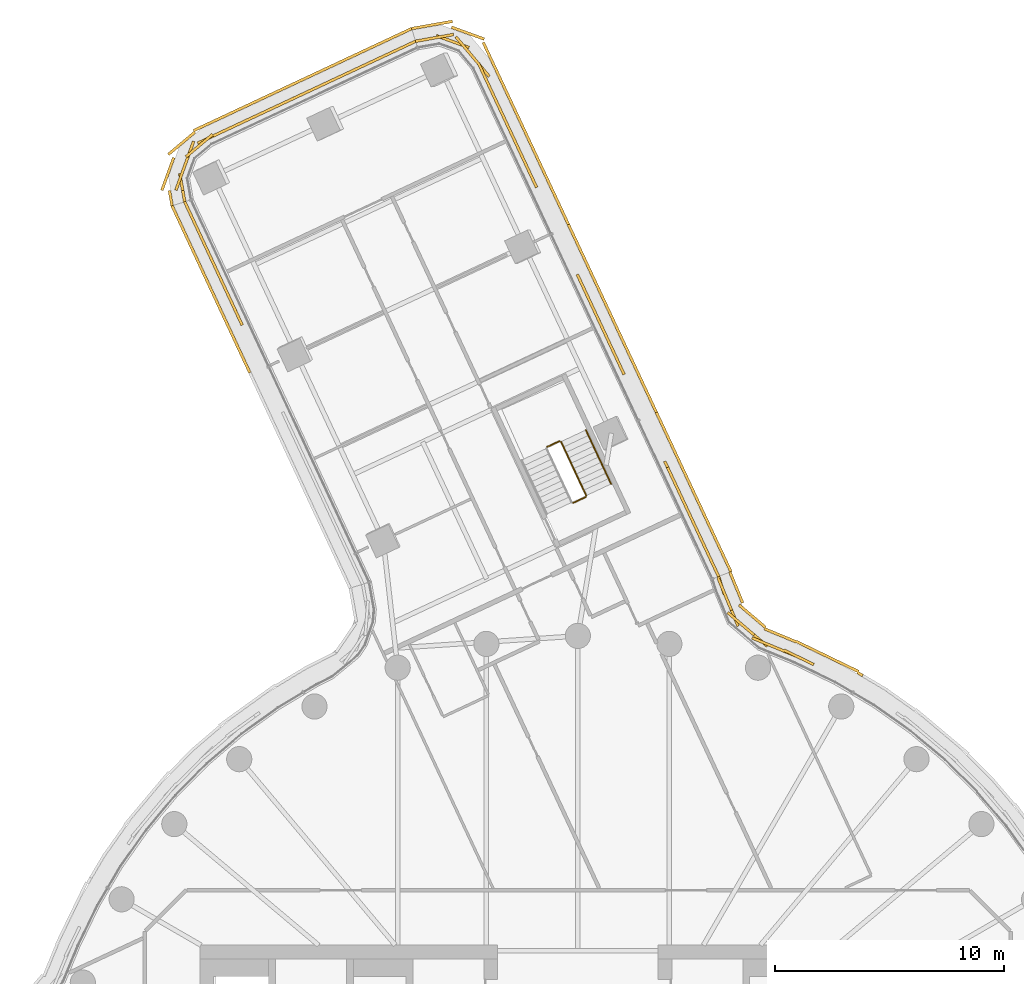
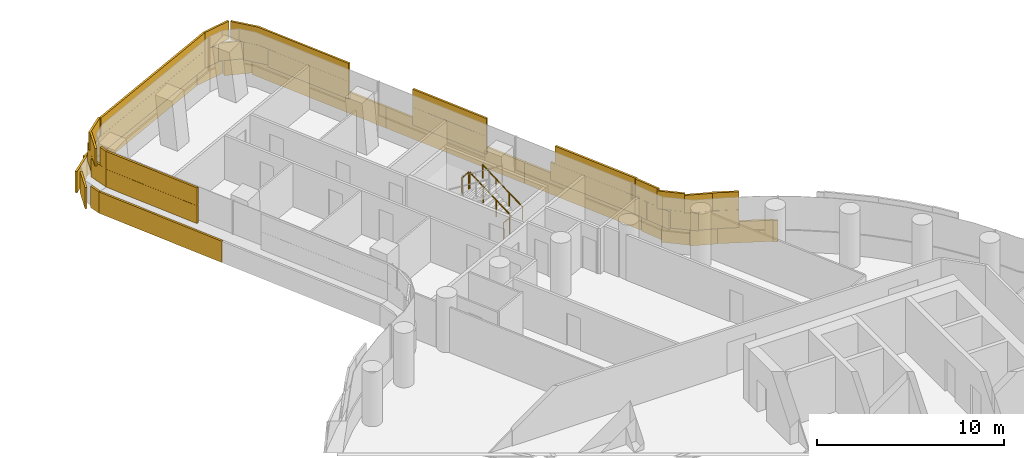
# One storey, part 35 of 36: 6 coverings, 4 railings.
"""IFC4 building model written with IfcOpenShell, lengths in metres."""

from ifc_helpers import new_model, si_unit, direction, frame, origin, origin_2d, place, context, subcontext, project, spatial, rectangle, circle, extrude, material, layer, layer_set, type_object, element, save


model = new_model("IFC4")

# Units and contexts
model_context = context("Model", 3, precision=1e-05, world=origin(), true_north=direction((0.0, 1.0)))
body_context = subcontext(model_context, "Body", "Model", "MODEL_VIEW")
ifc_project = project(units=[si_unit("LENGTHUNIT", "METRE"), si_unit("AREAUNIT", "SQUARE_METRE"), si_unit("VOLUMEUNIT", "CUBIC_METRE"), si_unit("PLANEANGLEUNIT", "RADIAN"), si_unit("MASSUNIT", "GRAM", prefix="KILO")], contexts=[model_context])

# Site, building, storey
site_placement = place(None, origin())
site = spatial("IfcSite", under=ifc_project, at=site_placement, CompositionType="ELEMENT")
building_placement = place(site_placement, origin())
building = spatial("IfcBuilding", under=site, at=building_placement, Name="Tamarind Cross Interchange Tower", CompositionType="ELEMENT")
storey_placement = place(building_placement, frame((0.0, 0.0, 124.75)))
storey = spatial("IfcBuildingStorey", under=building, at=storey_placement, Name="L30", CompositionType="ELEMENT", Elevation=124.75)

# Railings
ifc_material_1 = material(Name="Stair guard")
railing_type_1 = type_object("IfcRailingType", Name="Stair guard", PredefinedType="GUARDRAIL", material=ifc_material_1)
railing_1_placement = place(storey_placement, frame((0.3642578125, 29.1259765625, 0.17041015625)))
element("IfcRailing", 1, at=railing_1_placement, inside=storey, type_object=railing_type_1, Name="L30 ST4 stair guard 1", PredefinedType="GUARDRAIL", context=body_context, shape_type="SweptSolid", body=[
    extrude(circle(Radius=0.02392578125, at=origin_2d()), frame((0.0, 0.0, 1.076171875), z_axis=(-0.354398913971, 0.75748546957, 0.548285667482), x_axis=(-0.905767689231, -0.423774578219, 0.0)), (0.0, 0.0, 1.0), 3.10888671875),
    extrude(circle(Radius=0.02099609375, at=origin_2d()), origin(), (0.0, 0.0, 1.0), 1.052001953125),
    extrude(circle(Radius=0.02099609375, at=origin_2d()), frame((-0.3671875, 0.784912109375, 0.568115234375)), (0.0, 0.0, 1.0), 1.052001953125),
    extrude(circle(Radius=0.02099609375, at=origin_2d()), frame((-0.734619140625, 1.570068359375, 1.136474609375)), (0.0, 0.0, 1.0), 1.052001953125),
    extrude(circle(Radius=0.02099609375, at=origin_2d()), frame((-1.101806640625, 2.35498046875, 1.70458984375)), (0.0, 0.0, 1.0), 1.052001953125),
])
for number, where, name in (
    (2, (-0.80419921875, 31.505126953125, 1.875), "L30 ST4 stair guard 2"),
    (3, (0.340087890625, 29.0595703125, 0.0), "L30 ST4 stair guard 4"),
):
    element("IfcRailing", number, at=place(storey_placement, frame(where)), inside=storey, type_object=railing_type_1, Name=name, PredefinedType="GUARDRAIL", context=body_context, shape_type="SweptSolid", body=[
        extrude(circle(Radius=0.02392578125, at=origin_2d()), frame((0.0, 0.0, 1.076171875), z_axis=(-0.905683578805, -0.423954307778, 0.0), x_axis=(0.423954307778, -0.905683578805, 0.0)), (0.0, 0.0, 1.0), 0.60009765625),
        extrude(circle(Radius=0.02099609375, at=origin_2d()), origin(), (0.0, 0.0, 1.0), 1.052001953125),
        extrude(circle(Radius=0.02099609375, at=origin_2d()), frame((-0.54345703125, -0.25439453125, 0.0)), (0.0, 0.0, 1.0), 1.052001953125),
    ])
ifc_material_2 = material(Name="Stair handrail")
railing_type_2 = type_object("IfcRailingType", Name="Stair handrail", PredefinedType="HANDRAIL", material=ifc_material_2)
railing_2_placement = place(storey_placement, frame((1.451171875, 29.634521484375, 0.17041015625)))
element("IfcRailing", 4, at=railing_2_placement, inside=storey, type_object=railing_type_2, Name="L30 ST4 stair handrail 1", PredefinedType="HANDRAIL", context=body_context, shape_type="SweptSolid", body=[
    extrude(circle(Radius=0.02392578125, at=origin_2d()), frame((0.0, 0.0, 0.8759765625), z_axis=(-0.354398913971, 0.75748546957, 0.548285667482), x_axis=(-0.905767689231, -0.423774578219, 0.0)), (0.0, 0.0, 1.0), 3.10888671875),
    extrude(circle(Radius=0.02099609375, at=origin_2d()), origin(), (0.0, 0.0, 1.0), 0.851806640625),
    extrude(circle(Radius=0.02099609375, at=origin_2d()), frame((-0.3671875, 0.784912109375, 0.568115234375)), (0.0, 0.0, 1.0), 0.851806640625),
    extrude(circle(Radius=0.02099609375, at=origin_2d()), frame((-0.734619140625, 1.570068359375, 1.136474609375)), (0.0, 0.0, 1.0), 0.851806640625),
    extrude(circle(Radius=0.02099609375, at=origin_2d()), frame((-1.101806640625, 2.35498046875, 1.70458984375)), (0.0, 0.0, 1.0), 0.851806640625),
])

# Coverings
ifc_material_3 = material(Name="Terracotta", Category="masonry")
ifc_layer = layer(ifc_material_3, 0.1201171875)
ifc_layer_set = layer_set([ifc_layer], Name="Terracotta")
covering_type = type_object("IfcCoveringType", Name="Terracotta baguette screen unit", PredefinedType="MOLDING", material=ifc_layer_set)
covering_1_placement = place(storey_placement, origin())
element("IfcCovering", 5, at=covering_1_placement, inside=storey, type_object=covering_type, Name="SCR-L30-10-01", PredefinedType="MOLDING", context=body_context, shape_type="SweptSolid", body=[
    extrude(rectangle(XDim=0.6796875, YDim=0.1201171875, at=origin_2d()), frame((9.990478515625, 21.900390625, 1.404052734375), z_axis=(0.0, 0.0, 1.0), x_axis=(-0.900272776334, 0.435326231914, 0.0)), (0.0, 0.0, 1.0), 1.1669921875),
    extrude(rectangle(XDim=1.52001953125, YDim=0.1201171875, at=origin_2d()), frame((8.99853515625, 22.3388671875, 1.404052734375), z_axis=(0.0, 0.0, 1.0), x_axis=(-0.924281259172, 0.381712134917, 0.0)), (0.0, 0.0, 1.0), 1.1669921875),
    extrude(rectangle(XDim=1.52001953125, YDim=0.1201171875, at=origin_2d()), frame((7.692138671875, 23.04248046875, 1.404052734375), z_axis=(0.0, 0.0, 1.0), x_axis=(-0.761232595024, 0.648478940501, 0.0)), (0.0, 0.0, 1.0), 1.1669921875),
    extrude(rectangle(XDim=1.52001953125, YDim=0.1201171875, at=origin_2d()), frame((6.704833984375, 24.12744140625, 1.404052734375), z_axis=(0.0, 0.0, 1.0), x_axis=(-0.382708296882, 0.923869232899, 0.0)), (0.0, 0.0, 1.0), 1.1669921875),
    extrude(rectangle(XDim=0.83251953125, YDim=0.1201171875, at=origin_2d()), frame((6.26953125, 25.20361328125, 1.404052734375), z_axis=(0.0, 0.0, 1.0), x_axis=(-0.301957281813, 0.953321456782, 0.0)), (0.0, 0.0, 1.0), 1.1669921875),
    extrude(rectangle(XDim=1.4296875, YDim=0.1201171875, at=origin_2d()), frame((9.65283203125, 22.063720703125, 2.5791015625), z_axis=(0.0, 0.0, 1.0), x_axis=(-0.900272776334, 0.435326231914, 0.0)), (0.0, 0.0, 1.0), 1.1669921875),
    extrude(rectangle(XDim=1.52001953125, YDim=0.1201171875, at=origin_2d()), frame((8.305419921875, 22.625244140625, 2.5791015625), z_axis=(0.0, 0.0, 1.0), x_axis=(-0.924281259172, 0.381712134917, 0.0)), (0.0, 0.0, 1.0), 1.1669921875),
    extrude(rectangle(XDim=1.52001953125, YDim=0.1201171875, at=origin_2d()), frame((7.121337890625, 23.52880859375, 2.5791015625), z_axis=(0.0, 0.0, 1.0), x_axis=(-0.761232595024, 0.648478940501, 0.0)), (0.0, 0.0, 1.0), 1.1669921875),
    extrude(rectangle(XDim=1.52001953125, YDim=0.1201171875, at=origin_2d()), frame((6.417724609375, 24.8203125, 2.5791015625), z_axis=(0.0, 0.0, 1.0), x_axis=(-0.382708296882, 0.923869232899, 0.0)), (0.0, 0.0, 1.0), 1.1669921875),
    extrude(rectangle(XDim=0.08251953125, YDim=0.1201171875, at=origin_2d()), frame((6.15625, 25.56103515625, 2.5791015625), z_axis=(0.0, 0.0, 1.0), x_axis=(-0.301957281813, 0.953321456782, 0.0)), (0.0, 0.0, 1.0), 1.1669921875),
    extrude(rectangle(XDim=0.26416015625, YDim=0.1201171875, at=origin_2d()), frame((12.3232421875, 21.337646484375, 0.00390625), z_axis=(0.0, 0.0, 1.0), x_axis=(-0.861248933065, 0.508183308752, 0.0)), (0.0, 0.0, 1.0), 1.39208984375),
    extrude(rectangle(XDim=1.52001953125, YDim=0.1201171875, at=origin_2d()), frame((11.569091796875, 21.774658203125, 0.00390625), z_axis=(0.0, 0.0, 1.0), x_axis=(-0.900272776334, 0.435326231914, 0.0)), (0.0, 0.0, 1.0), 1.39208984375),
    extrude(rectangle(XDim=1.52001953125, YDim=0.1201171875, at=origin_2d()), frame((10.218505859375, 22.427734375, 0.00390625), z_axis=(0.0, 0.0, 1.0), x_axis=(-0.900272776334, 0.435326231914, 0.0)), (0.0, 0.0, 1.0), 1.39208984375),
    extrude(rectangle(XDim=1.52001953125, YDim=0.1201171875, at=origin_2d()), frame((8.843017578125, 23.024169921875, 0.00390625), z_axis=(0.0, 0.0, 1.0), x_axis=(-0.924281259172, 0.381712134917, 0.0)), (0.0, 0.0, 1.0), 1.39208984375),
    extrude(rectangle(XDim=1.52001953125, YDim=0.1201171875, at=origin_2d()), frame((7.617431640625, 23.860107421875, 0.00390625), z_axis=(0.0, 0.0, 1.0), x_axis=(-0.761232595024, 0.648478940501, 0.0)), (0.0, 0.0, 1.0), 1.39208984375),
    extrude(rectangle(XDim=1.45703125, YDim=0.1201171875, at=origin_2d()), frame((6.91650390625, 25.115966796875, 0.00390625), z_axis=(0.0, 0.0, 1.0), x_axis=(-0.382708296882, 0.923869232899, 0.0)), (0.0, 0.0, 1.0), 1.39208984375),
])
covering_2_placement = place(storey_placement, origin())
element("IfcCovering", 6, at=covering_2_placement, inside=storey, type_object=covering_type, Name="SCR-L30-11-00", PredefinedType="MOLDING", context=body_context, shape_type="SweptSolid", body=[
    extrude(rectangle(XDim=1.510009765625, YDim=0.1201171875, at=origin_2d()), frame((5.827392578125, 26.27490234375, 1.404052734375), z_axis=(0.0, 0.0, 1.0), x_axis=(-0.423807415123, 0.905752325355, 0.0)), (0.0, 0.0, 1.0), 1.1669921875),
    extrude(rectangle(XDim=1.52001953125, YDim=0.1201171875, at=origin_2d()), frame((5.191650390625, 27.633544921875, 1.404052734375), z_axis=(0.0, 0.0, 1.0), x_axis=(-0.423807415123, 0.905752325355, 0.0)), (0.0, 0.0, 1.0), 1.1669921875),
    extrude(rectangle(XDim=1.52001953125, YDim=0.1201171875, at=origin_2d()), frame((4.555908203125, 28.9921875, 1.404052734375), z_axis=(0.0, 0.0, 1.0), x_axis=(-0.423807415123, 0.905752325355, 0.0)), (0.0, 0.0, 1.0), 1.1669921875),
    extrude(rectangle(XDim=1.05712890625, YDim=0.1201171875, at=origin_2d()), frame((4.016357421875, 30.145751953125, 1.404052734375), z_axis=(0.0, 0.0, 1.0), x_axis=(-0.423807415123, 0.905752325355, 0.0)), (0.0, 0.0, 1.0), 1.1669921875),
    extrude(rectangle(XDim=0.760009765625, YDim=0.1201171875, at=origin_2d()), frame((5.986328125, 25.935302734375, 2.5791015625), z_axis=(0.0, 0.0, 1.0), x_axis=(-0.423807415123, 0.905752325355, 0.0)), (0.0, 0.0, 1.0), 1.1669921875),
    extrude(rectangle(XDim=1.52001953125, YDim=0.1201171875, at=origin_2d()), frame((5.509521484375, 26.954345703125, 2.5791015625), z_axis=(0.0, 0.0, 1.0), x_axis=(-0.423807415123, 0.905752325355, 0.0)), (0.0, 0.0, 1.0), 1.1669921875),
    extrude(rectangle(XDim=1.52001953125, YDim=0.1201171875, at=origin_2d()), frame((4.873779296875, 28.31298828125, 2.5791015625), z_axis=(0.0, 0.0, 1.0), x_axis=(-0.423807415123, 0.905752325355, 0.0)), (0.0, 0.0, 1.0), 1.1669921875),
    extrude(rectangle(XDim=1.52001953125, YDim=0.1201171875, at=origin_2d()), frame((4.23828125, 29.671630859375, 2.5791015625), z_axis=(0.0, 0.0, 1.0), x_axis=(-0.423807415123, 0.905752325355, 0.0)), (0.0, 0.0, 1.0), 1.1669921875),
    extrude(rectangle(XDim=1.510009765625, YDim=0.1201171875, at=origin_2d()), frame((6.361083984375, 26.48876953125, 0.00390625), z_axis=(0.0, 0.0, 1.0), x_axis=(-0.423807415123, 0.905752325355, 0.0)), (0.0, 0.0, 1.0), 1.39208984375),
    extrude(rectangle(XDim=1.52001953125, YDim=0.1201171875, at=origin_2d()), frame((5.7275390625, 27.8427734375, 0.00390625), z_axis=(0.0, 0.0, 1.0), x_axis=(-0.423807415123, 0.905752325355, 0.0)), (0.0, 0.0, 1.0), 1.39208984375),
    extrude(rectangle(XDim=1.52001953125, YDim=0.1201171875, at=origin_2d()), frame((5.091796875, 29.201416015625, 0.00390625), z_axis=(0.0, 0.0, 1.0), x_axis=(-0.423807415123, 0.905752325355, 0.0)), (0.0, 0.0, 1.0), 1.39208984375),
    extrude(rectangle(XDim=1.52001953125, YDim=0.1201171875, at=origin_2d()), frame((4.4560546875, 30.56005859375, 0.00390625), z_axis=(0.0, 0.0, 1.0), x_axis=(-0.423807415123, 0.905752325355, 0.0)), (0.0, 0.0, 1.0), 1.39208984375),
    extrude(rectangle(XDim=1.52001953125, YDim=0.1201171875, at=origin_2d()), frame((3.820556640625, 31.918701171875, 0.00390625), z_axis=(0.0, 0.0, 1.0), x_axis=(-0.423807415123, 0.905752325355, 0.0)), (0.0, 0.0, 1.0), 1.39208984375),
    extrude(rectangle(XDim=0.192138671875, YDim=0.1201171875, at=origin_2d()), frame((3.466064453125, 32.676025390625, 0.00390625), z_axis=(0.0, 0.0, 1.0), x_axis=(-0.423807415123, 0.905752325355, 0.0)), (0.0, 0.0, 1.0), 1.39208984375),
])
covering_3_placement = place(storey_placement, origin())
element("IfcCovering", 7, at=covering_3_placement, inside=storey, type_object=covering_type, Name="SCR-L30-11-01", PredefinedType="MOLDING", context=body_context, shape_type="SweptSolid", body=[
    extrude(rectangle(XDim=0.7626953125, YDim=0.1201171875, at=origin_2d()), frame((1.854736328125, 34.76513671875, 1.404052734375), z_axis=(0.0, 0.0, 1.0), x_axis=(-0.423807415123, 0.905752325355, 0.0)), (0.0, 0.0, 1.0), 1.1669921875),
    extrude(rectangle(XDim=1.52001953125, YDim=0.1201171875, at=origin_2d()), frame((1.37744140625, 35.785400390625, 1.404052734375), z_axis=(0.0, 0.0, 1.0), x_axis=(-0.423807415123, 0.905752325355, 0.0)), (0.0, 0.0, 1.0), 1.1669921875),
    extrude(rectangle(XDim=1.52001953125, YDim=0.1201171875, at=origin_2d()), frame((0.74169921875, 37.14404296875, 1.404052734375), z_axis=(0.0, 0.0, 1.0), x_axis=(-0.423807415123, 0.905752325355, 0.0)), (0.0, 0.0, 1.0), 1.1669921875),
    extrude(rectangle(XDim=1.063720703125, YDim=0.1201171875, at=origin_2d()), frame((0.20068359375, 38.300537109375, 1.404052734375), z_axis=(0.0, 0.0, 1.0), x_axis=(-0.423807415123, 0.905752325355, 0.0)), (0.0, 0.0, 1.0), 1.1669921875),
    extrude(rectangle(XDim=1.52001953125, YDim=0.1201171875, at=origin_2d()), frame((1.6953125, 35.10595703125, 2.5791015625), z_axis=(0.0, 0.0, 1.0), x_axis=(-0.423807415123, 0.905752325355, 0.0)), (0.0, 0.0, 1.0), 1.1669921875),
    extrude(rectangle(XDim=1.52001953125, YDim=0.1201171875, at=origin_2d()), frame((1.0595703125, 36.464599609375, 2.5791015625), z_axis=(0.0, 0.0, 1.0), x_axis=(-0.423807415123, 0.905752325355, 0.0)), (0.0, 0.0, 1.0), 1.1669921875),
    extrude(rectangle(XDim=1.52001953125, YDim=0.1201171875, at=origin_2d()), frame((0.423828125, 37.8232421875, 2.5791015625), z_axis=(0.0, 0.0, 1.0), x_axis=(-0.423807415123, 0.905752325355, 0.0)), (0.0, 0.0, 1.0), 1.1669921875),
    extrude(rectangle(XDim=0.313720703125, YDim=0.1201171875, at=origin_2d()), frame((0.041748046875, 38.64013671875, 2.5791015625), z_axis=(0.0, 0.0, 1.0), x_axis=(-0.423807415123, 0.905752325355, 0.0)), (0.0, 0.0, 1.0), 1.1669921875),
    extrude(rectangle(XDim=1.32763671875, YDim=0.1201171875, at=origin_2d()), frame((3.14404296875, 33.364501953125, 0.00390625), z_axis=(0.0, 0.0, 1.0), x_axis=(-0.423807415123, 0.905752325355, 0.0)), (0.0, 0.0, 1.0), 1.39208984375),
    extrude(rectangle(XDim=1.52001953125, YDim=0.1201171875, at=origin_2d()), frame((2.549072265625, 34.635986328125, 0.00390625), z_axis=(0.0, 0.0, 1.0), x_axis=(-0.423807415123, 0.905752325355, 0.0)), (0.0, 0.0, 1.0), 1.39208984375),
    extrude(rectangle(XDim=1.52001953125, YDim=0.1201171875, at=origin_2d()), frame((1.913330078125, 35.99462890625, 0.00390625), z_axis=(0.0, 0.0, 1.0), x_axis=(-0.423807415123, 0.905752325355, 0.0)), (0.0, 0.0, 1.0), 1.39208984375),
    extrude(rectangle(XDim=1.52001953125, YDim=0.1201171875, at=origin_2d()), frame((1.277587890625, 37.353271484375, 0.00390625), z_axis=(0.0, 0.0, 1.0), x_axis=(-0.423807415123, 0.905752325355, 0.0)), (0.0, 0.0, 1.0), 1.39208984375),
    extrude(rectangle(XDim=1.52001953125, YDim=0.1201171875, at=origin_2d()), frame((0.641845703125, 38.7119140625, 0.00390625), z_axis=(0.0, 0.0, 1.0), x_axis=(-0.423807415123, 0.905752325355, 0.0)), (0.0, 0.0, 1.0), 1.39208984375),
    extrude(rectangle(XDim=1.52001953125, YDim=0.1201171875, at=origin_2d()), frame((0.006103515625, 40.070556640625, 0.00390625), z_axis=(0.0, 0.0, 1.0), x_axis=(-0.423807415123, 0.905752325355, 0.0)), (0.0, 0.0, 1.0), 1.39208984375),
    extrude(rectangle(XDim=0.239990234375, YDim=0.1201171875, at=origin_2d()), frame((-0.3583984375, 40.849365234375, 0.00390625), z_axis=(0.0, 0.0, 1.0), x_axis=(-0.423807415123, 0.905752325355, 0.0)), (0.0, 0.0, 1.0), 1.39208984375),
])
covering_4_placement = place(storey_placement, origin())
element("IfcCovering", 8, at=covering_4_placement, inside=storey, type_object=covering_type, Name="SCR-L30-11-02", PredefinedType="MOLDING", context=body_context, shape_type="SweptSolid", body=[
    extrude(rectangle(XDim=0.75634765625, YDim=0.1201171875, at=origin_2d()), frame((-1.960693359375, 42.919921875, 1.404052734375), z_axis=(0.0, 0.0, 1.0), x_axis=(-0.423807415123, 0.905752325355, 0.0)), (0.0, 0.0, 1.0), 1.1669921875),
    extrude(rectangle(XDim=1.52001953125, YDim=0.1201171875, at=origin_2d()), frame((-2.436767578125, 43.937255859375, 1.404052734375), z_axis=(0.0, 0.0, 1.0), x_axis=(-0.423807415123, 0.905752325355, 0.0)), (0.0, 0.0, 1.0), 1.1669921875),
    extrude(rectangle(XDim=1.52001953125, YDim=0.1201171875, at=origin_2d()), frame((-3.072509765625, 45.2958984375, 1.404052734375), z_axis=(0.0, 0.0, 1.0), x_axis=(-0.423807415123, 0.905752325355, 0.0)), (0.0, 0.0, 1.0), 1.1669921875),
    extrude(rectangle(XDim=1.52001953125, YDim=0.1201171875, at=origin_2d()), frame((-3.708251953125, 46.654296875, 1.404052734375), z_axis=(0.0, 0.0, 1.0), x_axis=(-0.423807415123, 0.905752325355, 0.0)), (0.0, 0.0, 1.0), 1.1669921875),
    extrude(rectangle(XDim=1.52001953125, YDim=0.1201171875, at=origin_2d()), frame((-4.3564453125, 48.005126953125, 1.404052734375), z_axis=(0.0, 0.0, 1.0), x_axis=(-0.643792479588, 0.765200132793, 0.0)), (0.0, 0.0, 1.0), 1.1669921875),
    extrude(rectangle(XDim=1.52001953125, YDim=0.1201171875, at=origin_2d()), frame((-5.466064453125, 48.94677734375, 1.404052734375), z_axis=(0.0, 0.0, 1.0), x_axis=(-0.940140708485, 0.340786514184, 0.0)), (0.0, 0.0, 1.0), 1.1669921875),
    extrude(rectangle(XDim=0.92919921875, YDim=0.1201171875, at=origin_2d()), frame((-6.63037109375, 49.04345703125, 1.404052734375), z_axis=(0.0, 0.0, 1.0), x_axis=(-0.984578993772, -0.174940575692, 0.0)), (0.0, 0.0, 1.0), 1.1669921875),
    extrude(rectangle(XDim=1.50634765625, YDim=0.1201171875, at=origin_2d()), frame((-2.11962890625, 43.259521484375, 2.5791015625), z_axis=(0.0, 0.0, 1.0), x_axis=(-0.423807415123, 0.905752325355, 0.0)), (0.0, 0.0, 1.0), 1.1669921875),
    extrude(rectangle(XDim=1.52001953125, YDim=0.1201171875, at=origin_2d()), frame((-2.754638671875, 44.616455078125, 2.5791015625), z_axis=(0.0, 0.0, 1.0), x_axis=(-0.423807415123, 0.905752325355, 0.0)), (0.0, 0.0, 1.0), 1.1669921875),
    extrude(rectangle(XDim=1.52001953125, YDim=0.1201171875, at=origin_2d()), frame((-3.390380859375, 45.97509765625, 2.5791015625), z_axis=(0.0, 0.0, 1.0), x_axis=(-0.423807415123, 0.905752325355, 0.0)), (0.0, 0.0, 1.0), 1.1669921875),
    extrude(rectangle(XDim=1.52001953125, YDim=0.1201171875, at=origin_2d()), frame((-4.026123046875, 47.333740234375, 2.5791015625), z_axis=(0.0, 0.0, 1.0), x_axis=(-0.423807415123, 0.905752325355, 0.0)), (0.0, 0.0, 1.0), 1.1669921875),
    extrude(rectangle(XDim=1.52001953125, YDim=0.1201171875, at=origin_2d()), frame((-4.83935546875, 48.578857421875, 2.5791015625), z_axis=(0.0, 0.0, 1.0), x_axis=(-0.643792479588, 0.765200132793, 0.0)), (0.0, 0.0, 1.0), 1.1669921875),
    extrude(rectangle(XDim=1.52001953125, YDim=0.1201171875, at=origin_2d()), frame((-6.177734375, 49.1240234375, 2.5791015625), z_axis=(0.0, 0.0, 1.0), x_axis=(-0.984578993772, -0.174940575692, 0.0)), (0.0, 0.0, 1.0), 1.1669921875),
    extrude(rectangle(XDim=0.17919921875, YDim=0.1201171875, at=origin_2d()), frame((-6.99951171875, 48.97802734375, 2.5791015625), z_axis=(0.0, 0.0, 1.0), x_axis=(-0.984578993772, -0.174940575692, 0.0)), (0.0, 0.0, 1.0), 1.1669921875),
    extrude(rectangle(XDim=1.27978515625, YDim=0.1201171875, at=origin_2d()), frame((-0.680419921875, 41.537841796875, 0.00390625), z_axis=(0.0, 0.0, 1.0), x_axis=(-0.423807415123, 0.905752325355, 0.0)), (0.0, 0.0, 1.0), 1.39208984375),
    extrude(rectangle(XDim=1.52001953125, YDim=0.1201171875, at=origin_2d()), frame((-1.26513671875, 42.787841796875, 0.00390625), z_axis=(0.0, 0.0, 1.0), x_axis=(-0.423807415123, 0.905752325355, 0.0)), (0.0, 0.0, 1.0), 1.39208984375),
    extrude(rectangle(XDim=1.52001953125, YDim=0.1201171875, at=origin_2d()), frame((-1.90087890625, 44.146240234375, 0.00390625), z_axis=(0.0, 0.0, 1.0), x_axis=(-0.423807415123, 0.905752325355, 0.0)), (0.0, 0.0, 1.0), 1.39208984375),
    extrude(rectangle(XDim=1.52001953125, YDim=0.1201171875, at=origin_2d()), frame((-2.53662109375, 45.5048828125, 0.00390625), z_axis=(0.0, 0.0, 1.0), x_axis=(-0.423807415123, 0.905752325355, 0.0)), (0.0, 0.0, 1.0), 1.39208984375),
    extrude(rectangle(XDim=1.52001953125, YDim=0.1201171875, at=origin_2d()), frame((-3.17236328125, 46.863525390625, 0.00390625), z_axis=(0.0, 0.0, 1.0), x_axis=(-0.423807415123, 0.905752325355, 0.0)), (0.0, 0.0, 1.0), 1.39208984375),
    extrude(rectangle(XDim=1.52001953125, YDim=0.1201171875, at=origin_2d()), frame((-3.80810546875, 48.22216796875, 0.00390625), z_axis=(0.0, 0.0, 1.0), x_axis=(-0.423807415123, 0.905752325355, 0.0)), (0.0, 0.0, 1.0), 1.39208984375),
    extrude(rectangle(XDim=1.52001953125, YDim=0.1201171875, at=origin_2d()), frame((-4.8037109375, 49.3173828125, 0.00390625), z_axis=(0.0, 0.0, 1.0), x_axis=(-0.940140708485, 0.340786514184, 0.0)), (0.0, 0.0, 1.0), 1.39208984375),
    extrude(rectangle(XDim=1.52001953125, YDim=0.1201171875, at=origin_2d()), frame((-6.22509765625, 49.698486328125, 0.00390625), z_axis=(0.0, 0.0, 1.0), x_axis=(-0.984578993772, -0.174940575692, 0.0)), (0.0, 0.0, 1.0), 1.39208984375),
    extrude(rectangle(XDim=0.308837890625, YDim=0.1201171875, at=origin_2d()), frame((-7.105712890625, 49.5419921875, 0.00390625), z_axis=(0.0, 0.0, 1.0), x_axis=(-0.984578993772, -0.174940575692, 0.0)), (0.0, 0.0, 1.0), 1.39208984375),
])
covering_5_placement = place(storey_placement, origin())
element("IfcCovering", 9, at=covering_5_placement, inside=storey, type_object=covering_type, Name="SCR-L30-12-00", PredefinedType="MOLDING", context=body_context, shape_type="SweptSolid", body=[
    extrude(rectangle(XDim=1.510009765625, YDim=0.1201171875, at=origin_2d()), frame((-7.76220703125, 48.645263671875, 1.404052734375), z_axis=(0.0, 0.0, 1.0), x_axis=(-0.905752325355, -0.423807415123, 0.0)), (0.0, 0.0, 1.0), 1.1669921875),
    extrude(rectangle(XDim=1.52001953125, YDim=0.1201171875, at=origin_2d()), frame((-9.120849609375, 48.009521484375, 1.404052734375), z_axis=(0.0, 0.0, 1.0), x_axis=(-0.905752325355, -0.423807415123, 0.0)), (0.0, 0.0, 1.0), 1.1669921875),
    extrude(rectangle(XDim=1.52001953125, YDim=0.1201171875, at=origin_2d()), frame((-10.4794921875, 47.373779296875, 1.404052734375), z_axis=(0.0, 0.0, 1.0), x_axis=(-0.905752325355, -0.423807415123, 0.0)), (0.0, 0.0, 1.0), 1.1669921875),
    extrude(rectangle(XDim=1.52001953125, YDim=0.1201171875, at=origin_2d()), frame((-11.838134765625, 46.73828125, 1.404052734375), z_axis=(0.0, 0.0, 1.0), x_axis=(-0.905752325355, -0.423807415123, 0.0)), (0.0, 0.0, 1.0), 1.1669921875),
    extrude(rectangle(XDim=1.52001953125, YDim=0.1201171875, at=origin_2d()), frame((-13.19677734375, 46.1025390625, 1.404052734375), z_axis=(0.0, 0.0, 1.0), x_axis=(-0.905752325355, -0.423807415123, 0.0)), (0.0, 0.0, 1.0), 1.1669921875),
    extrude(rectangle(XDim=1.52001953125, YDim=0.1201171875, at=origin_2d()), frame((-14.555419921875, 45.466796875, 1.404052734375), z_axis=(0.0, 0.0, 1.0), x_axis=(-0.905752325355, -0.423807415123, 0.0)), (0.0, 0.0, 1.0), 1.1669921875),
    extrude(rectangle(XDim=1.52001953125, YDim=0.1201171875, at=origin_2d()), frame((-15.9140625, 44.8310546875, 1.404052734375), z_axis=(0.0, 0.0, 1.0), x_axis=(-0.905752325355, -0.423807415123, 0.0)), (0.0, 0.0, 1.0), 1.1669921875),
    extrude(rectangle(XDim=1.52001953125, YDim=0.1201171875, at=origin_2d()), frame((-17.034423828125, 43.879638671875, 1.404052734375), z_axis=(0.0, 0.0, 1.0), x_axis=(-0.340786514184, -0.940140708485, 0.0)), (0.0, 0.0, 1.0), 1.1669921875),
    extrude(rectangle(XDim=1.259521484375, YDim=0.1201171875, at=origin_2d()), frame((-17.272705078125, 42.5673828125, 1.404052734375), z_axis=(0.0, 0.0, 1.0), x_axis=(0.174940575692, -0.984578993772, 0.0)), (0.0, 0.0, 1.0), 1.1669921875),
    extrude(rectangle(XDim=0.760009765625, YDim=0.1201171875, at=origin_2d()), frame((-7.422607421875, 48.80419921875, 2.5791015625), z_axis=(0.0, 0.0, 1.0), x_axis=(-0.905752325355, -0.423807415123, 0.0)), (0.0, 0.0, 1.0), 1.1669921875),
    extrude(rectangle(XDim=1.52001953125, YDim=0.1201171875, at=origin_2d()), frame((-8.44140625, 48.327392578125, 2.5791015625), z_axis=(0.0, 0.0, 1.0), x_axis=(-0.905752325355, -0.423807415123, 0.0)), (0.0, 0.0, 1.0), 1.1669921875),
    extrude(rectangle(XDim=1.52001953125, YDim=0.1201171875, at=origin_2d()), frame((-9.800048828125, 47.691650390625, 2.5791015625), z_axis=(0.0, 0.0, 1.0), x_axis=(-0.905752325355, -0.423807415123, 0.0)), (0.0, 0.0, 1.0), 1.1669921875),
    extrude(rectangle(XDim=1.52001953125, YDim=0.1201171875, at=origin_2d()), frame((-11.15869140625, 47.05615234375, 2.5791015625), z_axis=(0.0, 0.0, 1.0), x_axis=(-0.905752325355, -0.423807415123, 0.0)), (0.0, 0.0, 1.0), 1.1669921875),
    extrude(rectangle(XDim=1.52001953125, YDim=0.1201171875, at=origin_2d()), frame((-12.517333984375, 46.42041015625, 2.5791015625), z_axis=(0.0, 0.0, 1.0), x_axis=(-0.905752325355, -0.423807415123, 0.0)), (0.0, 0.0, 1.0), 1.1669921875),
    extrude(rectangle(XDim=1.52001953125, YDim=0.1201171875, at=origin_2d()), frame((-13.8759765625, 45.78466796875, 2.5791015625), z_axis=(0.0, 0.0, 1.0), x_axis=(-0.905752325355, -0.423807415123, 0.0)), (0.0, 0.0, 1.0), 1.1669921875),
    extrude(rectangle(XDim=1.52001953125, YDim=0.1201171875, at=origin_2d()), frame((-15.234619140625, 45.14892578125, 2.5791015625), z_axis=(0.0, 0.0, 1.0), x_axis=(-0.905752325355, -0.423807415123, 0.0)), (0.0, 0.0, 1.0), 1.1669921875),
    extrude(rectangle(XDim=1.52001953125, YDim=0.1201171875, at=origin_2d()), frame((-16.5263671875, 44.408447265625, 2.5791015625), z_axis=(0.0, 0.0, 1.0), x_axis=(-0.765200132793, -0.643792479588, 0.0)), (0.0, 0.0, 1.0), 1.1669921875),
    extrude(rectangle(XDim=1.52001953125, YDim=0.1201171875, at=origin_2d()), frame((-17.2900390625, 43.174560546875, 2.5791015625), z_axis=(0.0, 0.0, 1.0), x_axis=(-0.340786514184, -0.940140708485, 0.0)), (0.0, 0.0, 1.0), 1.1669921875),
    extrude(rectangle(XDim=0.509521484375, YDim=0.1201171875, at=origin_2d()), frame((-17.20703125, 42.197998046875, 2.5791015625), z_axis=(0.0, 0.0, 1.0), x_axis=(0.174940575692, -0.984578993772, 0.0)), (0.0, 0.0, 1.0), 1.1669921875),
    extrude(rectangle(XDim=1.510009765625, YDim=0.1201171875, at=origin_2d()), frame((-7.941650390625, 49.195068359375, 0.00390625), z_axis=(0.0, 0.0, 1.0), x_axis=(-0.905752325355, -0.423807415123, 0.0)), (0.0, 0.0, 1.0), 1.39208984375),
    extrude(rectangle(XDim=1.52001953125, YDim=0.1201171875, at=origin_2d()), frame((-9.295654296875, 48.5615234375, 0.00390625), z_axis=(0.0, 0.0, 1.0), x_axis=(-0.905752325355, -0.423807415123, 0.0)), (0.0, 0.0, 1.0), 1.39208984375),
    extrude(rectangle(XDim=1.52001953125, YDim=0.1201171875, at=origin_2d()), frame((-10.654296875, 47.92578125, 0.00390625), z_axis=(0.0, 0.0, 1.0), x_axis=(-0.905752325355, -0.423807415123, 0.0)), (0.0, 0.0, 1.0), 1.39208984375),
    extrude(rectangle(XDim=1.52001953125, YDim=0.1201171875, at=origin_2d()), frame((-12.012939453125, 47.2900390625, 0.00390625), z_axis=(0.0, 0.0, 1.0), x_axis=(-0.905752325355, -0.423807415123, 0.0)), (0.0, 0.0, 1.0), 1.39208984375),
    extrude(rectangle(XDim=1.52001953125, YDim=0.1201171875, at=origin_2d()), frame((-13.37158203125, 46.654296875, 0.00390625), z_axis=(0.0, 0.0, 1.0), x_axis=(-0.905752325355, -0.423807415123, 0.0)), (0.0, 0.0, 1.0), 1.39208984375),
    extrude(rectangle(XDim=1.52001953125, YDim=0.1201171875, at=origin_2d()), frame((-14.730224609375, 46.018798828125, 0.00390625), z_axis=(0.0, 0.0, 1.0), x_axis=(-0.905752325355, -0.423807415123, 0.0)), (0.0, 0.0, 1.0), 1.39208984375),
    extrude(rectangle(XDim=1.52001953125, YDim=0.1201171875, at=origin_2d()), frame((-16.0888671875, 45.383056640625, 0.00390625), z_axis=(0.0, 0.0, 1.0), x_axis=(-0.905752325355, -0.423807415123, 0.0)), (0.0, 0.0, 1.0), 1.39208984375),
    extrude(rectangle(XDim=1.52001953125, YDim=0.1201171875, at=origin_2d()), frame((-17.29638671875, 44.5107421875, 0.00390625), z_axis=(0.0, 0.0, 1.0), x_axis=(-0.765200132793, -0.643792479588, 0.0)), (0.0, 0.0, 1.0), 1.39208984375),
    extrude(rectangle(XDim=1.52001953125, YDim=0.1201171875, at=origin_2d()), frame((-17.903076171875, 43.167236328125, 0.00390625), z_axis=(0.0, 0.0, 1.0), x_axis=(-0.340786514184, -0.940140708485, 0.0)), (0.0, 0.0, 1.0), 1.39208984375),
    extrude(rectangle(XDim=0.676513671875, YDim=0.1201171875, at=origin_2d()), frame((-17.774658203125, 42.11083984375, 0.00390625), z_axis=(0.0, 0.0, 1.0), x_axis=(0.174940575692, -0.984578993772, 0.0)), (0.0, 0.0, 1.0), 1.39208984375),
])
covering_6_placement = place(storey_placement, origin())
element("IfcCovering", 10, at=covering_6_placement, inside=storey, type_object=covering_type, Name="SCR-L30-13-00", PredefinedType="MOLDING", context=body_context, shape_type="SweptSolid", body=[
    extrude(rectangle(XDim=1.510009765625, YDim=0.1201171875, at=origin_2d()), frame((-16.846923828125, 41.272216796875, 1.404052734375), z_axis=(0.0, 0.0, 1.0), x_axis=(0.422173554282, -0.906515024732, 0.0)), (0.0, 0.0, 1.0), 1.1669921875),
    extrude(rectangle(XDim=1.52001953125, YDim=0.1201171875, at=origin_2d()), frame((-16.213623046875, 39.912353515625, 1.404052734375), z_axis=(0.0, 0.0, 1.0), x_axis=(0.422173554282, -0.906515024732, 0.0)), (0.0, 0.0, 1.0), 1.1669921875),
    extrude(rectangle(XDim=1.52001953125, YDim=0.1201171875, at=origin_2d()), frame((-15.580322265625, 38.552734375, 1.404052734375), z_axis=(0.0, 0.0, 1.0), x_axis=(0.422173554282, -0.906515024732, 0.0)), (0.0, 0.0, 1.0), 1.1669921875),
    extrude(rectangle(XDim=1.44384765625, YDim=0.1201171875, at=origin_2d()), frame((-14.9609375, 37.222900390625, 1.404052734375), z_axis=(0.0, 0.0, 1.0), x_axis=(0.422173554282, -0.906515024732, 0.0)), (0.0, 0.0, 1.0), 1.1669921875),
    extrude(rectangle(XDim=0.760009765625, YDim=0.1201171875, at=origin_2d()), frame((-17.005126953125, 41.612060546875, 2.5791015625), z_axis=(0.0, 0.0, 1.0), x_axis=(0.422173554282, -0.906515024732, 0.0)), (0.0, 0.0, 1.0), 1.1669921875),
    extrude(rectangle(XDim=1.52001953125, YDim=0.1201171875, at=origin_2d()), frame((-16.5302734375, 40.59228515625, 2.5791015625), z_axis=(0.0, 0.0, 1.0), x_axis=(0.422173554282, -0.906515024732, 0.0)), (0.0, 0.0, 1.0), 1.1669921875),
    extrude(rectangle(XDim=1.52001953125, YDim=0.1201171875, at=origin_2d()), frame((-15.89697265625, 39.232666015625, 2.5791015625), z_axis=(0.0, 0.0, 1.0), x_axis=(0.422173554282, -0.906515024732, 0.0)), (0.0, 0.0, 1.0), 1.1669921875),
    extrude(rectangle(XDim=1.52001953125, YDim=0.1201171875, at=origin_2d()), frame((-15.263671875, 37.872802734375, 2.5791015625), z_axis=(0.0, 0.0, 1.0), x_axis=(0.422173554282, -0.906515024732, 0.0)), (0.0, 0.0, 1.0), 1.1669921875),
    extrude(rectangle(XDim=0.69384765625, YDim=0.1201171875, at=origin_2d()), frame((-14.802734375, 36.883056640625, 2.5791015625), z_axis=(0.0, 0.0, 1.0), x_axis=(0.422173554282, -0.906515024732, 0.0)), (0.0, 0.0, 1.0), 1.1669921875),
    extrude(rectangle(XDim=1.510009765625, YDim=0.1201171875, at=origin_2d()), frame((-17.396728515625, 41.093505859375, 0.00390625), z_axis=(0.0, 0.0, 1.0), x_axis=(0.422173554282, -0.906515024732, 0.0)), (0.0, 0.0, 1.0), 1.39208984375),
    extrude(rectangle(XDim=1.52001953125, YDim=0.1201171875, at=origin_2d()), frame((-16.765625, 39.738037109375, 0.00390625), z_axis=(0.0, 0.0, 1.0), x_axis=(0.422173554282, -0.906515024732, 0.0)), (0.0, 0.0, 1.0), 1.39208984375),
    extrude(rectangle(XDim=1.52001953125, YDim=0.1201171875, at=origin_2d()), frame((-16.13232421875, 38.37841796875, 0.00390625), z_axis=(0.0, 0.0, 1.0), x_axis=(0.422173554282, -0.906515024732, 0.0)), (0.0, 0.0, 1.0), 1.39208984375),
    extrude(rectangle(XDim=1.52001953125, YDim=0.1201171875, at=origin_2d()), frame((-15.4990234375, 37.0185546875, 0.00390625), z_axis=(0.0, 0.0, 1.0), x_axis=(0.422173554282, -0.906515024732, 0.0)), (0.0, 0.0, 1.0), 1.39208984375),
    extrude(rectangle(XDim=1.52001953125, YDim=0.1201171875, at=origin_2d()), frame((-14.86572265625, 35.658935546875, 0.00390625), z_axis=(0.0, 0.0, 1.0), x_axis=(0.422173554282, -0.906515024732, 0.0)), (0.0, 0.0, 1.0), 1.39208984375),
    extrude(rectangle(XDim=0.544189453125, YDim=0.1201171875, at=origin_2d()), frame((-14.4384765625, 34.741455078125, 0.00390625), z_axis=(0.0, 0.0, 1.0), x_axis=(0.422173554282, -0.906515024732, 0.0)), (0.0, 0.0, 1.0), 1.39208984375),
])

save(model, "model.ifc")
